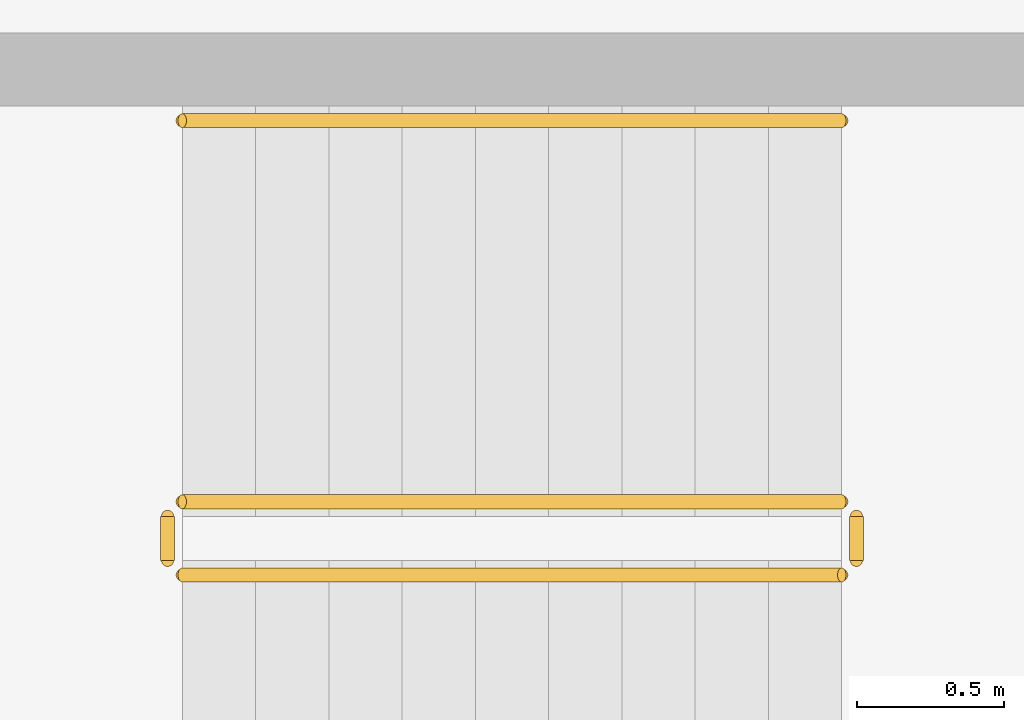
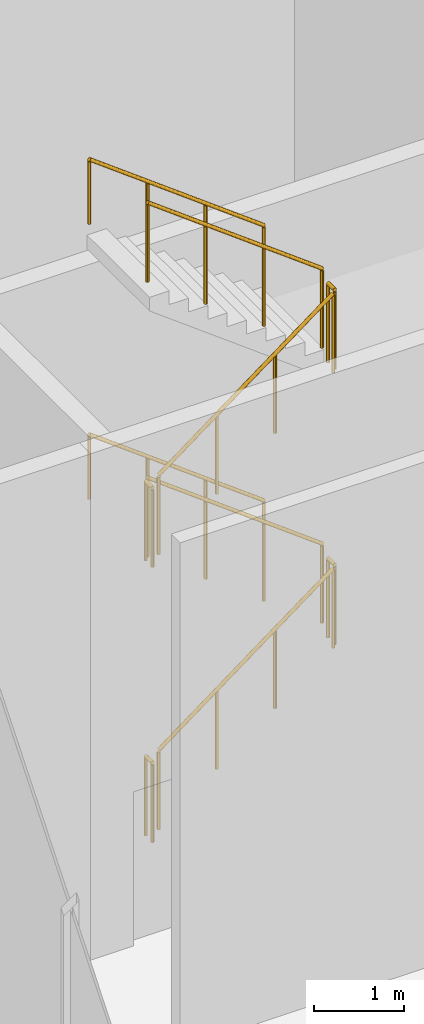
# One storey, part 24 of 26: 10 railings.
"""IFC4 building model written with IfcOpenShell, lengths in metres."""

from ifc_helpers import new_model, si_unit, direction, frame, origin, origin_2d, place, context, subcontext, project, spatial, circle, extrude, source, transform, mapped, material, type_object, element, save


model = new_model("IFC4")

# Units and contexts
model_context = context("Model", 3, precision=1e-05, world=origin(), true_north=direction((0.0, 1.0)))
body_context = subcontext(model_context, "Body", "Model", "MODEL_VIEW")
ifc_project = project(units=[si_unit("LENGTHUNIT", "METRE"), si_unit("AREAUNIT", "SQUARE_METRE"), si_unit("VOLUMEUNIT", "CUBIC_METRE"), si_unit("PLANEANGLEUNIT", "RADIAN"), si_unit("MASSUNIT", "GRAM", prefix="KILO")], contexts=[model_context])

# Site, building, storey
site_placement = place(None, origin())
site = spatial("IfcSite", under=ifc_project, at=site_placement, CompositionType="ELEMENT")
building_placement = place(site_placement, origin())
building = spatial("IfcBuilding", under=site, at=building_placement, Name="Aurelian Terraces", CompositionType="ELEMENT")
storey_placement = place(building_placement, origin())
storey = spatial("IfcBuildingStorey", under=building, at=storey_placement, Name="L00", CompositionType="ELEMENT", Elevation=0.0)

# Railings
ifc_material = material(Name="Stainless steel", Category="steel")
railing_type_1 = type_object("IfcRailingType", Name="Stair guard 1100", PredefinedType="GUARDRAIL", material=ifc_material)
shared_shape_1 = source(origin(), body_context, "Body", "SweptSolid", [
    extrude(circle(Radius=0.024, at=origin_2d()), frame((0.0, 0.0, 1.076), z_axis=(0.0, 1.0, 0.0), x_axis=(-1.0, 0.0, 0.0)), (0.0, 0.0, 1.0), 0.15),
    extrude(circle(Radius=0.021, at=origin_2d()), origin(), (0.0, 0.0, 1.0), 1.052),
    extrude(circle(Radius=0.021, at=origin_2d()), frame((0.0, 0.15, 0.0)), (0.0, 0.0, 1.0), 1.052),
])
for number, where, name in (
    (1, (4.4, 66.05, 1.875), "L00 S5 stair guard 2"),
    (2, (2.05, 66.05, 3.75), "L00 S5 stair guard 4"),
    (3, (4.4, 66.05, 5.625), "L00 S5 stair guard 6"),
    (4, (2.05, 66.05, 0.0), "L00 S5 stair guard 8"),
):
    element("IfcRailing", number, at=place(storey_placement, frame(where)), inside=storey, type_object=railing_type_1, Name=name, PredefinedType="GUARDRAIL", context=body_context, shape_type="MappedRepresentation", body=[
        mapped(shared_shape_1, transform((0.0, 0.0, 0.0), scale=1.0)),
    ])
shared_shape_2 = source(origin(), body_context, "Body", "SweptSolid", [
    extrude(circle(Radius=0.024, at=origin_2d()), frame((0.0, 0.0, 1.076), z_axis=(0.8, 0.0, 0.6), x_axis=(0.0, 1.0, 0.0)), (0.0, 0.0, 1.0), 2.8125),
    extrude(circle(Radius=0.021, at=origin_2d()), origin(), (0.0, 0.0, 1.0), 1.052),
    extrude(circle(Radius=0.021, at=origin_2d()), frame((0.75, 0.0, 0.5625)), (0.0, 0.0, 1.0), 1.052),
    extrude(circle(Radius=0.021, at=origin_2d()), frame((1.5, 0.0, 1.125)), (0.0, 0.0, 1.0), 1.052),
    extrude(circle(Radius=0.021, at=origin_2d()), frame((2.25, 0.0, 1.6875)), (0.0, 0.0, 1.0), 1.052),
])
for number, where, name in (
    (5, (2.1, 66.0, 0.1875), "L00 S5 stair guard 1"),
    (6, (2.1, 66.0, 3.9375), "L00 S5 stair guard 5"),
):
    element("IfcRailing", number, at=place(storey_placement, frame(where)), inside=storey, type_object=railing_type_1, Name=name, PredefinedType="GUARDRAIL", context=body_context, shape_type="MappedRepresentation", body=[
        mapped(shared_shape_2, transform((0.0, 0.0, 0.0), scale=1.0)),
    ])
shared_shape_3 = source(origin(), body_context, "Body", "SweptSolid", [
    extrude(circle(Radius=0.024, at=origin_2d()), frame((0.0, 0.0, 1.076), z_axis=(-0.8, 0.0, 0.6), x_axis=(0.0, -1.0, 0.0)), (0.0, 0.0, 1.0), 2.8125),
    extrude(circle(Radius=0.021, at=origin_2d()), origin(), (0.0, 0.0, 1.0), 1.052),
    extrude(circle(Radius=0.021, at=origin_2d()), frame((-0.75, 0.0, 0.5625)), (0.0, 0.0, 1.0), 1.052),
    extrude(circle(Radius=0.021, at=origin_2d()), frame((-1.5, 0.0, 1.125)), (0.0, 0.0, 1.0), 1.052),
    extrude(circle(Radius=0.021, at=origin_2d()), frame((-2.25, 0.0, 1.6875)), (0.0, 0.0, 1.0), 1.052),
])
for number, where, name in (
    (7, (4.35, 66.25, 2.0625), "L00 S5 stair guard 3"),
    (8, (4.35, 66.25, 5.8125), "L00 S5 stair guard 7"),
):
    element("IfcRailing", number, at=place(storey_placement, frame(where)), inside=storey, type_object=railing_type_1, Name=name, PredefinedType="GUARDRAIL", context=body_context, shape_type="MappedRepresentation", body=[
        mapped(shared_shape_3, transform((0.0, 0.0, 0.0), scale=1.0)),
    ])
railing_type_2 = type_object("IfcRailingType", Name="Stair handrail", PredefinedType="HANDRAIL", material=ifc_material)
shared_shape_4 = source(origin(), body_context, "Body", "SweptSolid", [
    extrude(circle(Radius=0.024, at=origin_2d()), frame((0.0, 0.0, 0.876), z_axis=(-0.8, 0.0, 0.6), x_axis=(0.0, -1.0, 0.0)), (0.0, 0.0, 1.0), 2.8125),
    extrude(circle(Radius=0.021, at=origin_2d()), origin(), (0.0, 0.0, 1.0), 0.852),
    extrude(circle(Radius=0.021, at=origin_2d()), frame((-0.75, 0.0, 0.5625)), (0.0, 0.0, 1.0), 0.852),
    extrude(circle(Radius=0.021, at=origin_2d()), frame((-1.5, 0.0, 1.125)), (0.0, 0.0, 1.0), 0.852),
    extrude(circle(Radius=0.021, at=origin_2d()), frame((-2.25, 0.0, 1.6875)), (0.0, 0.0, 1.0), 0.852),
])
for number, where, name in (
    (9, (4.35, 67.55, 2.0625), "L00 S5 stair handrail 2"),
    (10, (4.35, 67.55, 5.8125), "L00 S5 stair handrail 4"),
):
    element("IfcRailing", number, at=place(storey_placement, frame(where)), inside=storey, type_object=railing_type_2, Name=name, PredefinedType="HANDRAIL", context=body_context, shape_type="MappedRepresentation", body=[
        mapped(shared_shape_4, transform((0.0, 0.0, 0.0), scale=1.0)),
    ])

save(model, "model.ifc")
